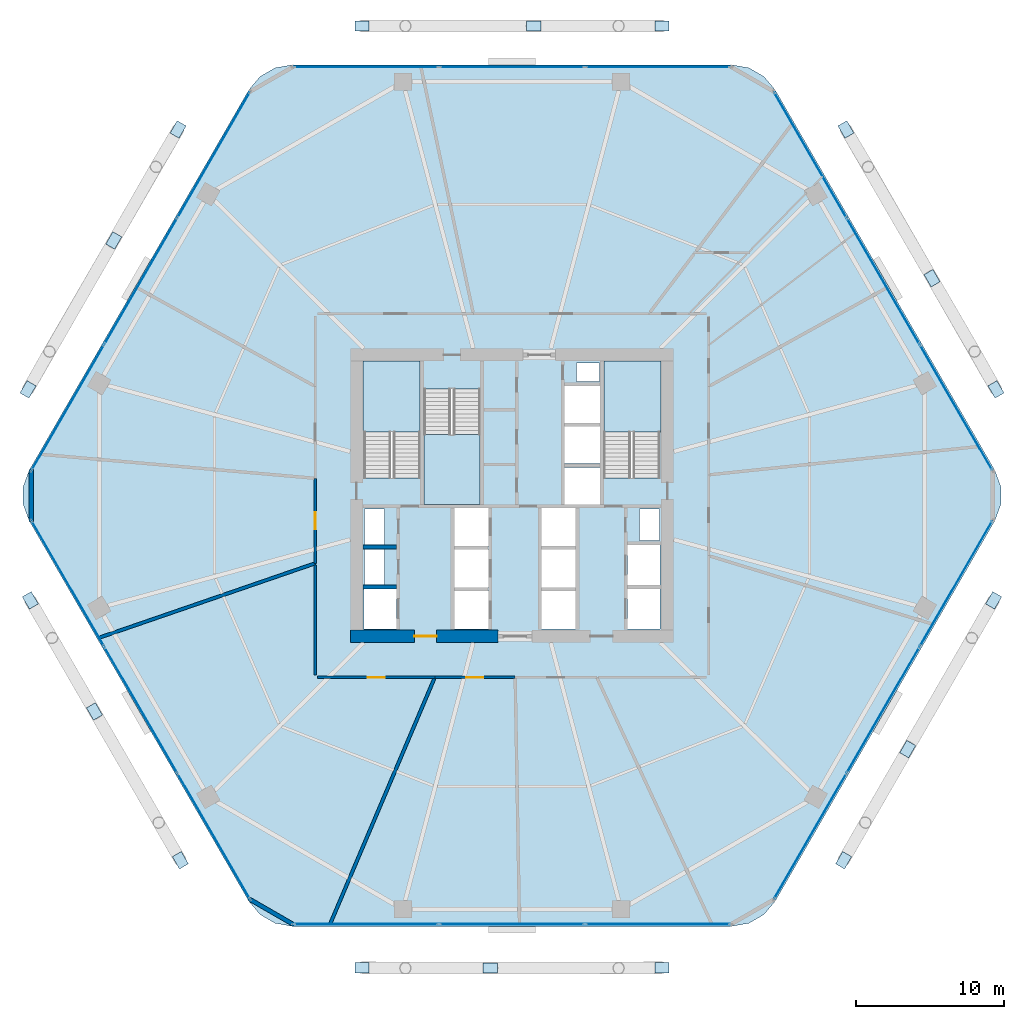
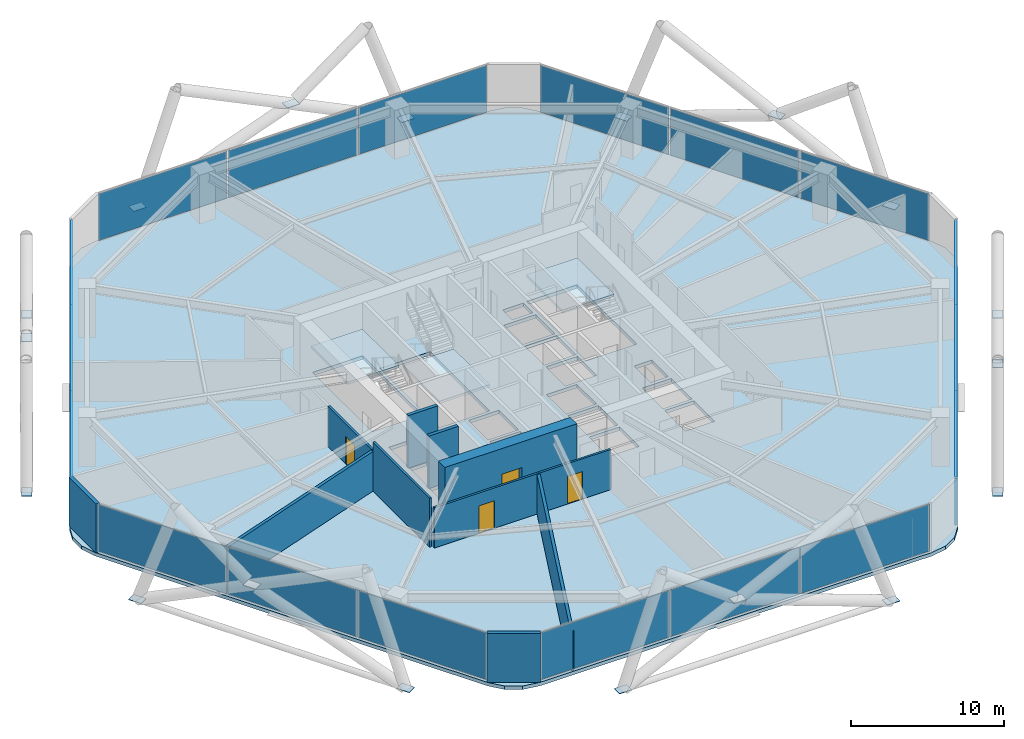
# One storey, part 24 of 30: 36 plates, 11 walls, 4 doors, 4 slabs, 4 openings, 9 elements without a shape of their own.
"""IFC4 building model written with IfcOpenShell, lengths in metres."""

from ifc_helpers import new_model, si_unit, direction, frame, frame_2d, origin, origin_2d, place, context, subcontext, project, spatial, polyline, rectangle, outline, extrude, material, layer, layer_set, type_object, element, fill, aggregate, save


model = new_model("IFC4")

# Units and contexts
model_context = context("Model", 3, precision=1e-05, world=origin(), true_north=direction((0.0, 1.0)))
body_context = subcontext(model_context, "Body", "Model", "MODEL_VIEW")
ifc_project = project(units=[si_unit("LENGTHUNIT", "METRE"), si_unit("AREAUNIT", "SQUARE_METRE"), si_unit("VOLUMEUNIT", "CUBIC_METRE"), si_unit("PLANEANGLEUNIT", "RADIAN"), si_unit("MASSUNIT", "GRAM", prefix="KILO")], contexts=[model_context])

# Site, building, storey
site_placement = place(None, origin())
site = spatial("IfcSite", under=ifc_project, at=site_placement, CompositionType="ELEMENT")
building_placement = place(site_placement, origin())
building = spatial("IfcBuilding", under=site, at=building_placement, Name="Zuhravey Tower", CompositionType="ELEMENT")
storey_placement = place(building_placement, frame((0.0, 0.0, 58.199951171875)))
storey = spatial("IfcBuildingStorey", under=building, at=storey_placement, Name="L14", CompositionType="ELEMENT", Elevation=58.199951171875)

# Curtain wall, plates
ifc_material_1 = material(Name="Thermally broken anodised aluminium", Category="aluminium")
curtain_wall_type = type_object("IfcCurtainWallType", Name="School Low-E Unitised Curtain Wall CW1", PredefinedType="NOTDEFINED", material=ifc_material_1)
curtain_wall_1_placement = place(storey_placement, origin())
curtain_wall_1 = element("IfcCurtainWall", 1, at=curtain_wall_1_placement, inside=storey, type_object=curtain_wall_type, Name="L14 CW1 CW-L14-F6-1", PredefinedType="NOTDEFINED")
ifc_material_2 = material(Name="Laminated acoustic low-E vision glass", Category="glass")
ifc_layer_1 = layer(ifc_material_2, 0.048095703125)
ifc_layer_set_1 = layer_set([ifc_layer_1], Name="Laminated acoustic low-E vision glass")
plate_type_1 = type_object("IfcPlateType", Name="Acoustic School Vision Panel", PredefinedType="CURTAIN_PANEL", material=ifc_layer_set_1)
plate_1_placement = place(storey_placement, frame((66.000732421875, 26.045654296875, 0.08984375), z_axis=(0.0, 0.0, 1.0), x_axis=(-0.499999794119, -0.86602552265, 0.0)))
plate_1 = element("IfcPlate", 2, at=plate_1_placement, type_object=plate_type_1, Name="CW1 panel 1.1", PredefinedType="CURTAIN_PANEL", context=body_context, shape_type="SweptSolid", body=[
    extrude(rectangle(XDim=9.7314453125, YDim=0.048095703125, at=origin_2d()), origin(), (0.0, 0.0, 1.0), 3.739990234375),
])
plate_2_placement = place(storey_placement, frame((61.078857421875, 17.520751953125, 0.08984375), z_axis=(0.0, 0.0, 1.0), x_axis=(-0.499999794119, -0.86602552265, 0.0)))
plate_2 = element("IfcPlate", 3, at=plate_2_placement, type_object=plate_type_1, Name="CW1 panel 2.1", PredefinedType="CURTAIN_PANEL", context=body_context, shape_type="SweptSolid", body=[
    extrude(rectangle(XDim=9.7763671875, YDim=0.048095703125, at=origin_2d()), origin(), (0.0, 0.0, 1.0), 3.739990234375),
])
plate_3_placement = place(storey_placement, frame((56.15673828125, 8.995849609375, 0.08984375), z_axis=(0.0, 0.0, 1.0), x_axis=(-0.499999794119, -0.86602552265, 0.0)))
plate_3 = element("IfcPlate", 4, at=plate_3_placement, type_object=plate_type_1, Name="CW1 panel 3.1", PredefinedType="CURTAIN_PANEL", context=body_context, shape_type="SweptSolid", body=[
    extrude(rectangle(XDim=9.7314453125, YDim=0.048095703125, at=origin_2d()), origin(), (0.0, 0.0, 1.0), 3.739990234375),
])
aggregate(curtain_wall_1, [plate_1, plate_2, plate_3])

curtain_wall_2_placement = place(storey_placement, origin())
curtain_wall_2 = element("IfcCurtainWall", 5, at=curtain_wall_2_placement, inside=storey, type_object=curtain_wall_type, Name="L14 CW1 CW-L14-F5-1", PredefinedType="NOTDEFINED")
plate_4_placement = place(storey_placement, frame((45.84375, 3.04150390625, 0.08984375), z_axis=(0.0, 0.0, 1.0), x_axis=(-1.0, 0.0, 0.0)))
plate_4 = element("IfcPlate", 6, at=plate_4_placement, type_object=plate_type_1, Name="CW1 panel 1.1", PredefinedType="CURTAIN_PANEL", context=body_context, shape_type="SweptSolid", body=[
    extrude(rectangle(XDim=9.7314453125, YDim=0.048095703125, at=origin_2d()), origin(), (0.0, 0.0, 1.0), 3.739990234375),
])
plate_5_placement = place(storey_placement, frame((36.0, 3.04150390625, 0.08984375), z_axis=(0.0, 0.0, 1.0), x_axis=(-1.0, 0.0, 0.0)))
plate_5 = element("IfcPlate", 7, at=plate_5_placement, type_object=plate_type_1, Name="CW1 panel 2.1", PredefinedType="CURTAIN_PANEL", context=body_context, shape_type="SweptSolid", body=[
    extrude(rectangle(XDim=9.7763671875, YDim=0.048095703125, at=origin_2d()), origin(), (0.0, 0.0, 1.0), 3.739990234375),
])
plate_6_placement = place(storey_placement, frame((26.15625, 3.04150390625, 0.08984375), z_axis=(0.0, 0.0, 1.0), x_axis=(-1.0, 0.0, 0.0)))
plate_6 = element("IfcPlate", 8, at=plate_6_placement, type_object=plate_type_1, Name="CW1 panel 3.1", PredefinedType="CURTAIN_PANEL", context=body_context, shape_type="SweptSolid", body=[
    extrude(rectangle(XDim=9.7314453125, YDim=0.048095703125, at=origin_2d()), origin(), (0.0, 0.0, 1.0), 3.739990234375),
])
aggregate(curtain_wall_2, [plate_4, plate_5, plate_6])

curtain_wall_3_placement = place(storey_placement, origin())
curtain_wall_3 = element("IfcCurtainWall", 9, at=curtain_wall_3_placement, inside=storey, type_object=curtain_wall_type, Name="L14 CW1 CW-L14-F4-1", PredefinedType="NOTDEFINED")
plate_7_placement = place(storey_placement, frame((15.84326171875, 8.995849609375, 0.08984375), z_axis=(0.0, 0.0, 1.0), x_axis=(-0.499999794119, 0.86602552265, 0.0)))
plate_7 = element("IfcPlate", 10, at=plate_7_placement, type_object=plate_type_1, Name="CW1 panel 1.1", PredefinedType="CURTAIN_PANEL", context=body_context, shape_type="SweptSolid", body=[
    extrude(rectangle(XDim=9.7314453125, YDim=0.048095703125, at=origin_2d()), origin(), (0.0, 0.0, 1.0), 3.739990234375),
])
plate_8_placement = place(storey_placement, frame((10.921142578125, 17.520751953125, 0.08984375), z_axis=(0.0, 0.0, 1.0), x_axis=(-0.499999794119, 0.86602552265, 0.0)))
plate_8 = element("IfcPlate", 11, at=plate_8_placement, type_object=plate_type_1, Name="CW1 panel 2.1", PredefinedType="CURTAIN_PANEL", context=body_context, shape_type="SweptSolid", body=[
    extrude(rectangle(XDim=9.7763671875, YDim=0.048095703125, at=origin_2d()), origin(), (0.0, 0.0, 1.0), 3.739990234375),
])
plate_9_placement = place(storey_placement, frame((5.999267578125, 26.045654296875, 0.08984375), z_axis=(0.0, 0.0, 1.0), x_axis=(-0.499999794119, 0.86602552265, 0.0)))
plate_9 = element("IfcPlate", 12, at=plate_9_placement, type_object=plate_type_1, Name="CW1 panel 3.1", PredefinedType="CURTAIN_PANEL", context=body_context, shape_type="SweptSolid", body=[
    extrude(rectangle(XDim=9.7314453125, YDim=0.048095703125, at=origin_2d()), origin(), (0.0, 0.0, 1.0), 3.739990234375),
])
aggregate(curtain_wall_3, [plate_7, plate_8, plate_9])

curtain_wall_4_placement = place(storey_placement, origin())
curtain_wall_4 = element("IfcCurtainWall", 13, at=curtain_wall_4_placement, inside=storey, type_object=curtain_wall_type, Name="L14 CW1 CW-L14-F3-1", PredefinedType="NOTDEFINED")
plate_10_placement = place(storey_placement, frame((5.999267578125, 37.954345703125, 0.08984375), z_axis=(0.0, 0.0, 1.0), x_axis=(0.499999794119, 0.86602552265, 0.0)))
plate_10 = element("IfcPlate", 14, at=plate_10_placement, type_object=plate_type_1, Name="CW1 panel 1.1", PredefinedType="CURTAIN_PANEL", context=body_context, shape_type="SweptSolid", body=[
    extrude(rectangle(XDim=9.7314453125, YDim=0.048095703125, at=origin_2d()), origin(), (0.0, 0.0, 1.0), 3.739990234375),
])
plate_11_placement = place(storey_placement, frame((10.921142578125, 46.479248046875, 0.08984375), z_axis=(0.0, 0.0, 1.0), x_axis=(0.499999794119, 0.86602552265, 0.0)))
plate_11 = element("IfcPlate", 15, at=plate_11_placement, type_object=plate_type_1, Name="CW1 panel 2.1", PredefinedType="CURTAIN_PANEL", context=body_context, shape_type="SweptSolid", body=[
    extrude(rectangle(XDim=9.7763671875, YDim=0.048095703125, at=origin_2d()), origin(), (0.0, 0.0, 1.0), 3.739990234375),
])
plate_12_placement = place(storey_placement, frame((15.84326171875, 55.004150390625, 0.08984375), z_axis=(0.0, 0.0, 1.0), x_axis=(0.499999794119, 0.86602552265, 0.0)))
plate_12 = element("IfcPlate", 16, at=plate_12_placement, type_object=plate_type_1, Name="CW1 panel 3.1", PredefinedType="CURTAIN_PANEL", context=body_context, shape_type="SweptSolid", body=[
    extrude(rectangle(XDim=9.7314453125, YDim=0.048095703125, at=origin_2d()), origin(), (0.0, 0.0, 1.0), 3.739990234375),
])
aggregate(curtain_wall_4, [plate_10, plate_11, plate_12])

curtain_wall_5_placement = place(storey_placement, origin())
curtain_wall_5 = element("IfcCurtainWall", 17, at=curtain_wall_5_placement, inside=storey, type_object=curtain_wall_type, Name="L14 CW1 CW-L14-F2-1", PredefinedType="NOTDEFINED")
plate_13_placement = place(storey_placement, frame((26.15625, 60.95849609375, 0.08984375), z_axis=(0.0, 0.0, 1.0), x_axis=(1.0, 0.0, 0.0)))
plate_13 = element("IfcPlate", 18, at=plate_13_placement, type_object=plate_type_1, Name="CW1 panel 1.1", PredefinedType="CURTAIN_PANEL", context=body_context, shape_type="SweptSolid", body=[
    extrude(rectangle(XDim=9.7314453125, YDim=0.048095703125, at=origin_2d()), origin(), (0.0, 0.0, 1.0), 3.739990234375),
])
plate_14_placement = place(storey_placement, frame((36.0, 60.95849609375, 0.08984375), z_axis=(0.0, 0.0, 1.0), x_axis=(1.0, 0.0, 0.0)))
plate_14 = element("IfcPlate", 19, at=plate_14_placement, type_object=plate_type_1, Name="CW1 panel 2.1", PredefinedType="CURTAIN_PANEL", context=body_context, shape_type="SweptSolid", body=[
    extrude(rectangle(XDim=9.7763671875, YDim=0.048095703125, at=origin_2d()), origin(), (0.0, 0.0, 1.0), 3.739990234375),
])
plate_15_placement = place(storey_placement, frame((45.84375, 60.95849609375, 0.08984375), z_axis=(0.0, 0.0, 1.0), x_axis=(1.0, 0.0, 0.0)))
plate_15 = element("IfcPlate", 20, at=plate_15_placement, type_object=plate_type_1, Name="CW1 panel 3.1", PredefinedType="CURTAIN_PANEL", context=body_context, shape_type="SweptSolid", body=[
    extrude(rectangle(XDim=9.7314453125, YDim=0.048095703125, at=origin_2d()), origin(), (0.0, 0.0, 1.0), 3.739990234375),
])
aggregate(curtain_wall_5, [plate_13, plate_14, plate_15])

curtain_wall_6_placement = place(storey_placement, origin())
curtain_wall_6 = element("IfcCurtainWall", 21, at=curtain_wall_6_placement, inside=storey, type_object=curtain_wall_type, Name="L14 CW1 CW-L14-F1-1", PredefinedType="NOTDEFINED")
plate_16_placement = place(storey_placement, frame((56.15673828125, 55.004150390625, 0.08984375), z_axis=(0.0, 0.0, 1.0), x_axis=(0.499999794119, -0.86602552265, 0.0)))
plate_16 = element("IfcPlate", 22, at=plate_16_placement, type_object=plate_type_1, Name="CW1 panel 1.1", PredefinedType="CURTAIN_PANEL", context=body_context, shape_type="SweptSolid", body=[
    extrude(rectangle(XDim=9.7314453125, YDim=0.048095703125, at=origin_2d()), origin(), (0.0, 0.0, 1.0), 3.739990234375),
])
plate_17_placement = place(storey_placement, frame((61.078857421875, 46.479248046875, 0.08984375), z_axis=(0.0, 0.0, 1.0), x_axis=(0.499999794119, -0.86602552265, 0.0)))
plate_17 = element("IfcPlate", 23, at=plate_17_placement, type_object=plate_type_1, Name="CW1 panel 2.1", PredefinedType="CURTAIN_PANEL", context=body_context, shape_type="SweptSolid", body=[
    extrude(rectangle(XDim=9.7763671875, YDim=0.048095703125, at=origin_2d()), origin(), (0.0, 0.0, 1.0), 3.739990234375),
])
plate_18_placement = place(storey_placement, frame((66.000732421875, 37.954345703125, 0.08984375), z_axis=(0.0, 0.0, 1.0), x_axis=(0.499999794119, -0.86602552265, 0.0)))
plate_18 = element("IfcPlate", 24, at=plate_18_placement, type_object=plate_type_1, Name="CW1 panel 3.1", PredefinedType="CURTAIN_PANEL", context=body_context, shape_type="SweptSolid", body=[
    extrude(rectangle(XDim=9.7314453125, YDim=0.048095703125, at=origin_2d()), origin(), (0.0, 0.0, 1.0), 3.739990234375),
])
aggregate(curtain_wall_6, [plate_16, plate_17, plate_18])

# Plates
ifc_material_3 = material(Name="Steel SM460", Category="steel")
ifc_layer_2 = layer(ifc_material_3, 0.0400390625)
ifc_layer_set_2 = layer_set([ifc_layer_2], Name="Steel SM460")
plate_type_2 = type_object("IfcPlateType", Name="Exoskeleton Zone 1 Node Plate ND1", PredefinedType="SHEET", material=ifc_layer_set_2)
for number, where, z_axis, x_axis, name in (
    (25, (68.693359375, 39.17041015625, -0.513916015625), (0.0, 0.0, 1.0), (-0.5, 0.866025403784, 0.0), "L14 Exoskeleton Node Gusset L14-01"),
    (26, (58.556396484375, 56.72802734375, -0.513916015625), (0.0, 0.0, 1.0), (-0.5, 0.866025403784, 0.0), "L14 Exoskeleton Node Gusset L14-02"),
    (27, (46.13671875, 63.718505859375, -0.513916015625), (0.0, 0.0, 1.0), (-1.0, 0.0, 0.0), "L14 Exoskeleton Node Gusset L14-03"),
    (28, (25.86328125, 63.718505859375, -0.513916015625), (0.0, 0.0, 1.0), (-1.0, 0.0, 0.0), "L14 Exoskeleton Node Gusset L14-04"),
    (29, (13.443603515625, 56.72802734375, -0.513916015625), (0.0, 0.0, 1.0), (-0.5, -0.866025403784, 0.0), "L14 Exoskeleton Node Gusset L14-05"),
    (30, (3.306640625, 39.17041015625, -0.513916015625), (0.0, 0.0, 1.0), (-0.5, -0.866025403784, 0.0), "L14 Exoskeleton Node Gusset L14-06"),
    (31, (3.462646484375, 24.91943359375, -0.513916015625), (0.0, 0.0, 1.0), (0.5, -0.866025403784, 0.0), "L14 Exoskeleton Node Gusset L14-07"),
    (32, (13.599365234375, 7.362060546875, -0.513916015625), (0.0, 0.0, 1.0), (0.5, -0.866025403784, 0.0), "L14 Exoskeleton Node Gusset L14-08"),
    (33, (25.86328125, 0.1015625, -0.513916015625), (0.0, 0.0, 1.0), (1.0, 0.0, 0.0), "L14 Exoskeleton Node Gusset L14-09"),
    (34, (46.13671875, 0.1015625, -0.513916015625), (0.0, 0.0, 1.0), (1.0, 0.0, 0.0), "L14 Exoskeleton Node Gusset L14-10"),
    (35, (58.400634765625, 7.362060546875, -0.513916015625), (0.0, 0.0, 1.0), (0.5, 0.866025403784, 0.0), "L14 Exoskeleton Node Gusset L14-11"),
    (36, (68.537353515625, 24.91943359375, -0.513916015625), (0.0, 0.0, 1.0), (0.5, 0.866025403784, 0.0), "L14 Exoskeleton Node Gusset L14-12"),
    (37, (64.37353515625, 46.682373046875, 3.68603515625), (0.0, 0.0, 1.0), (-0.5, 0.866025403784, 0.0), "L14 Face 1 Diagrid X-Crossing Plate"),
    (38, (37.471435546875, 63.718505859375, 3.68603515625), (0.0, 0.0, 1.0), (-1.0, 0.0, 0.0), "L14 Face 2 Diagrid X-Crossing Plate"),
    (39, (9.097900390625, 49.231201171875, 3.68603515625), (0.0, 0.0, 1.0), (-0.5, -0.866025403784, 0.0), "L14 Face 3 Diagrid X-Crossing Plate"),
    (40, (7.79541015625, 17.4150390625, 3.68603515625), (0.0, 0.0, 1.0), (0.5, -0.866025403784, 0.0), "L14 Face 4 Diagrid X-Crossing Plate"),
    (41, (34.528564453125, 0.08642578125, 3.68603515625), (0.0, 0.0, 1.0), (1.0, 0.0, 0.0), "L14 Face 5 Diagrid X-Crossing Plate"),
    (42, (62.733154296875, 14.866455078125, 3.68603515625), (0.0, 0.0, 1.0), (0.5, 0.866025403784, 0.0), "L14 Face 6 Diagrid X-Crossing Plate"),
):
    element("IfcPlate", number, at=place(storey_placement, frame(where, z_axis=z_axis, x_axis=x_axis)), inside=storey, type_object=plate_type_2, Name=name, PredefinedType="SHEET", context=body_context, shape_type="SweptSolid", body=[
        extrude(rectangle(XDim=0.9599609375, YDim=0.699951171875, at=origin_2d()), origin(), (0.0, 0.0, 1.0), 0.0400390625),
    ])

# Slab
ifc_material_4 = material(Name="Concrete C50/60", Category="concrete")
ifc_layer_3 = layer(ifc_material_4, 0.280029296875)
ifc_layer_set_3 = layer_set([ifc_layer_3], Name="Concrete C50/60")
slab_type_1 = type_object("IfcSlabType", Name="School Composite Floor Slab 280", PredefinedType="FLOOR", material=ifc_layer_set_3)
slab_1_placement = place(storey_placement, frame((0.0, 0.0, -0.280029296875)))
element("IfcSlab", 43, at=slab_1_placement, inside=storey, type_object=slab_type_1, Name="L14 Floor Slab FS28", PredefinedType="FLOOR", context=body_context, shape_type="SweptSolid", body=[
    extrude(outline(polyline([(68.618408203125, 30.300048828125), (69.0224609375, 31.40966796875), (69.0224609375, 32.59033203125), (68.618408203125, 33.699951171875), (53.781494140625, 59.3984375), (53.0224609375, 60.302978515625), (52.0, 60.893310546875), (50.8369140625, 61.098388671875), (21.1630859375, 61.098388671875), (20.0, 60.893310546875), (18.9775390625, 60.302978515625), (18.218505859375, 59.3984375), (3.381591796875, 33.699951171875), (2.9775390625, 32.59033203125), (2.9775390625, 31.40966796875), (3.381591796875, 30.300048828125), (18.218505859375, 4.6015625), (18.9775390625, 3.697021484375), (20.0, 3.106689453125), (21.1630859375, 2.901611328125), (50.8369140625, 2.901611328125), (52.0, 3.106689453125), (53.0224609375, 3.697021484375), (53.781494140625, 4.6015625), (68.618408203125, 30.300048828125)]), holes=[polyline([(29.800048828125, 33.20068359375), (29.800048828125, 41.0), (26.0, 41.0), (26.0, 33.20068359375), (29.800048828125, 33.20068359375)]), polyline([(46.0, 33.20068359375), (46.0, 41.0), (42.199951171875, 41.0), (42.199951171875, 33.20068359375), (46.0, 33.20068359375)]), polyline([(30.050048828125, 39.199462890625), (30.050048828125, 31.39990234375), (33.85009765625, 31.39990234375), (33.85009765625, 39.199462890625), (30.050048828125, 39.199462890625)]), polyline([(32.10009765625, 23.0), (34.39990234375, 23.0), (34.39990234375, 25.550048828125), (32.10009765625, 25.550048828125), (32.10009765625, 23.0)]), polyline([(32.10009765625, 25.800048828125), (34.39990234375, 25.800048828125), (34.39990234375, 28.35009765625), (32.10009765625, 28.35009765625), (32.10009765625, 25.800048828125)]), polyline([(32.10009765625, 28.60009765625), (34.39990234375, 28.60009765625), (34.39990234375, 31.14990234375), (32.10009765625, 31.14990234375), (32.10009765625, 28.60009765625)]), polyline([(38.0, 23.0), (40.300048828125, 23.0), (40.300048828125, 25.550048828125), (38.0, 25.550048828125), (38.0, 23.0)]), polyline([(38.0, 25.800048828125), (40.300048828125, 25.800048828125), (40.300048828125, 28.35009765625), (38.0, 28.35009765625), (38.0, 25.800048828125)]), polyline([(38.0, 28.60009765625), (40.300048828125, 28.60009765625), (40.300048828125, 31.14990234375), (38.0, 31.14990234375), (38.0, 28.60009765625)]), polyline([(39.550048828125, 31.39990234375), (41.949951171875, 31.39990234375), (41.949951171875, 33.89990234375), (39.550048828125, 33.89990234375), (39.550048828125, 31.39990234375)]), polyline([(39.550048828125, 34.14990234375), (41.949951171875, 34.14990234375), (41.949951171875, 36.64990234375), (39.550048828125, 36.64990234375), (39.550048828125, 34.14990234375)]), polyline([(39.550048828125, 36.89990234375), (41.949951171875, 36.89990234375), (41.949951171875, 39.39990234375), (39.550048828125, 39.39990234375), (39.550048828125, 36.89990234375)]), polyline([(26.0, 23.0), (28.199951171875, 23.0), (28.199951171875, 25.699951171875), (26.0, 25.699951171875), (26.0, 23.0)]), polyline([(43.800048828125, 23.0), (46.0, 23.0), (46.0, 25.699951171875), (43.800048828125, 25.699951171875), (43.800048828125, 23.0)]), polyline([(43.800048828125, 25.949951171875), (46.0, 25.949951171875), (46.0, 28.64990234375), (43.800048828125, 28.64990234375), (43.800048828125, 25.949951171875)]), polyline([(26.050048828125, 26.0), (27.39990234375, 26.0), (27.39990234375, 28.35009765625), (26.050048828125, 28.35009765625), (26.050048828125, 26.0)]), polyline([(26.050048828125, 28.699951171875), (27.39990234375, 28.699951171875), (27.39990234375, 31.10009765625), (26.050048828125, 31.10009765625), (26.050048828125, 28.699951171875)]), polyline([(44.60009765625, 28.949951171875), (45.949951171875, 28.949951171875), (45.949951171875, 31.10009765625), (44.60009765625, 31.10009765625), (44.60009765625, 28.949951171875)]), polyline([(40.35009765625, 39.699951171875), (41.89990234375, 39.699951171875), (41.89990234375, 40.949951171875), (40.35009765625, 40.949951171875), (40.35009765625, 39.699951171875)])]), origin(), (0.0, 0.0, 1.0), 0.280029296875),
])

# Stair, slab
ifc_material_5 = material(Name="Concrete C40/50", Category="concrete")
stair_type = type_object("IfcStairType", Name="School Storey Stair Assembly 4200", PredefinedType="HALF_TURN_STAIR", material=ifc_material_5)
stair_1_placement = place(storey_placement, origin())
stair_1 = element("IfcStair", 44, at=stair_1_placement, inside=storey, type_object=stair_type, Name="L14 Core Exit Stair ST1", PredefinedType="HALF_TURN_STAIR")
ifc_layer_4 = layer(ifc_material_5, 0.199951171875)
ifc_layer_set_4 = layer_set([ifc_layer_4], Name="Concrete C40/50")
slab_type_2 = type_object("IfcSlabType", Name="Stair Landing Slab 200", PredefinedType="LANDING", material=ifc_layer_set_4)
slab_2_placement = place(storey_placement, frame((0.0, 0.0, 1.900146484375)))
slab_2 = element("IfcSlab", 45, at=slab_2_placement, type_object=slab_type_2, Name="ST1 landing 1", PredefinedType="LANDING", context=body_context, shape_type="SweptSolid", body=[
    extrude(outline(polyline([(29.800048828125, 36.280029296875), (29.800048828125, 41.072998046875), (25.927001953125, 41.072998046875), (25.927001953125, 36.280029296875), (29.800048828125, 36.280029296875)])), origin(), (0.0, 0.0, 1.0), 0.199951171875),
])
aggregate(stair_1, [slab_2])

stair_2_placement = place(storey_placement, origin())
stair_2 = element("IfcStair", 46, at=stair_2_placement, inside=storey, type_object=stair_type, Name="L14 Core Exit Stair ST2", PredefinedType="HALF_TURN_STAIR")
slab_3_placement = place(storey_placement, frame((0.0, 0.0, 1.900146484375)))
slab_3 = element("IfcSlab", 47, at=slab_3_placement, type_object=slab_type_2, Name="ST2 landing 1", PredefinedType="LANDING", context=body_context, shape_type="SweptSolid", body=[
    extrude(outline(polyline([(46.072998046875, 36.280029296875), (46.072998046875, 41.072998046875), (42.199951171875, 41.072998046875), (42.199951171875, 36.280029296875), (46.072998046875, 36.280029296875)])), origin(), (0.0, 0.0, 1.0), 0.199951171875),
])
aggregate(stair_2, [slab_3])

stair_3_placement = place(storey_placement, origin())
stair_3 = element("IfcStair", 48, at=stair_3_placement, inside=storey, type_object=stair_type, Name="L14 Core Exit Stair ST3", PredefinedType="HALF_TURN_STAIR")
slab_4_placement = place(storey_placement, frame((0.0, 0.0, 1.900146484375)))
slab_4 = element("IfcSlab", 49, at=slab_4_placement, type_object=slab_type_2, Name="ST3 landing 1", PredefinedType="LANDING", context=body_context, shape_type="SweptSolid", body=[
    extrude(outline(polyline([(30.050048828125, 36.1201171875), (30.050048828125, 31.39990234375), (33.85009765625, 31.39990234375), (33.85009765625, 36.1201171875), (30.050048828125, 36.1201171875)])), origin(), (0.0, 0.0, 1.0), 0.199951171875),
])
aggregate(stair_3, [slab_4])

# Wall, opening, door
ifc_material_6 = material(Name="Concrete C60/75", Category="concrete")
ifc_layer_5 = layer(ifc_material_6, 0.85009765625)
ifc_layer_set_5 = layer_set([ifc_layer_5], Name="Concrete C60/75")
wall_type_1 = type_object("IfcWallType", Name="Core Shear Wall 850", PredefinedType="SHEAR", material=ifc_layer_set_5)
wall_1_placement = place(storey_placement, frame((25.074951171875, 22.5, 0.0), z_axis=(0.0, 0.0, 1.0), x_axis=(1.0, 0.0, 0.0)))
wall_1 = element("IfcWall", 50, at=wall_1_placement, inside=storey, type_object=wall_type_1, Name="L14 South-West Core Shear Wall CW85", PredefinedType="SHEAR", context=body_context, shape_type="SweptSolid", body=[
    extrude(rectangle(XDim=9.97509765625, YDim=0.85009765625, at=frame_2d((4.987548828125, 0.0))), origin(), (0.0, 0.0, 1.0), 4.199951171875),
])
opening_1_placement = place(wall_1_placement, frame((4.324951171875, 0.0, 0.0)))
opening_1 = element("IfcOpeningElement", 51, at=opening_1_placement, cuts=wall_1, Name="Opening FFD1", PredefinedType="OPENING", context=body_context, shape_type="SweptSolid", body=[
    extrude(rectangle(XDim=1.5, YDim=2.14990234375, at=frame_2d((0.75, 1.074951171875))), frame((0.0, 0.43701171875, 0.0), z_axis=(0.0, -1.0, 0.0), x_axis=(1.0, 0.0, 0.0)), (0.0, 0.0, 1.0), 0.8740234375),
])
ifc_material_7 = material(Name="Galvanised fire-rated steel leaf", Category="steel")
door_type_1 = type_object("IfcDoorType", Name="Firefighting Lobby Double Door 1500x2150", OperationType="DOUBLE_DOOR_SINGLE_SWING", PredefinedType="DOOR", material=ifc_material_7)
door_1_placement = place(opening_1_placement, origin())
door_1 = element("IfcDoor", 52, at=door_1_placement, inside=storey, type_object=door_type_1, Name="L14 Firefighting Lobby West Door", OperationType="DOUBLE_DOOR_SINGLE_SWING", OverallHeight=2.14990234375, OverallWidth=1.5, PredefinedType="DOOR", context=body_context, shape_type="SweptSolid", body=[
    extrude(rectangle(XDim=1.5, YDim=2.14990234375, at=frame_2d((0.75, 1.074951171875))), frame((0.0, 0.02490234375, 0.0), z_axis=(0.0, -1.0, 0.0), x_axis=(1.0, 0.0, 0.0)), (0.0, 0.0, 1.0), 0.050048828125),
])
fill(opening_1, door_1)

ifc_material_8 = material(Name="Gypsum fire-rated stud partition")
ifc_layer_6 = layer(ifc_material_8, 0.159912109375)
ifc_layer_set_6 = layer_set([ifc_layer_6], Name="Gypsum fire-rated stud partition")
wall_type_2 = type_object("IfcWallType", Name="Corridor Fire Partition 160", PredefinedType="PARTITIONING", material=ifc_layer_set_6)
wall_2_placement = place(storey_placement, frame((22.715087890625, 33.162353515625, 0.0), z_axis=(0.0, 0.0, 1.0), x_axis=(0.0, -1.0, 0.0)))
wall_2 = element("IfcWall", 53, at=wall_2_placement, inside=storey, type_object=wall_type_2, Name="L14 IW16 Partition 026", PredefinedType="PARTITIONING", context=body_context, shape_type="SweptSolid", body=[
    extrude(rectangle(XDim=5.73681640625, YDim=0.159912109375, at=frame_2d((2.868408203125, 0.0))), origin(), (0.0, 0.0, 1.0), 3.219970703125),
])
opening_2_placement = place(wall_2_placement, frame((2.29345703125, 0.0, 0.0)))
opening_2 = element("IfcOpeningElement", 54, at=opening_2_placement, cuts=wall_2, Name="Opening CLD1", PredefinedType="OPENING", context=body_context, shape_type="SweptSolid", body=[
    extrude(rectangle(XDim=1.14990234375, YDim=2.199951171875, at=frame_2d((0.574951171875, 1.10009765625))), frame((0.0, 0.092041015625, 0.0), z_axis=(0.0, -1.0, 0.0), x_axis=(1.0, 0.0, 0.0)), (0.0, 0.0, 1.0), 0.183837890625),
])
ifc_material_9 = material(Name="Acoustic timber leaf with vision lite", Category="wood")
door_type_2 = type_object("IfcDoorType", Name="Classroom Acoustic Door 1150x2200", OperationType="NOTDEFINED", PredefinedType="DOOR", material=ifc_material_9)
door_2_placement = place(opening_2_placement, frame((1.14990234375, 0.0, 0.0), z_axis=(0.0, 0.0, 1.0), x_axis=(-1.0, 0.0, 0.0)))
door_2 = element("IfcDoor", 55, at=door_2_placement, inside=storey, type_object=door_type_2, Name="L14 Door 026.1", OperationType="SINGLE_SWING_RIGHT", OverallHeight=2.199951171875, OverallWidth=1.14990234375, PredefinedType="DOOR", context=body_context, shape_type="SweptSolid", body=[
    extrude(rectangle(XDim=1.14990234375, YDim=2.199951171875, at=frame_2d((0.574951171875, 1.10009765625))), frame((0.0, 0.02490234375, 0.0), z_axis=(0.0, -1.0, 0.0), x_axis=(1.0, 0.0, 0.0)), (0.0, 0.0, 1.0), 0.050048828125),
])
fill(opening_2, door_2)

wall_3_placement = place(storey_placement, frame((22.875, 19.715087890625, 0.0), z_axis=(0.0, 0.0, 1.0), x_axis=(1.0, 0.0, 0.0)))
wall_3 = element("IfcWall", 56, at=wall_3_placement, inside=storey, type_object=wall_type_2, Name="L14 IW16 Partition 027", PredefinedType="PARTITIONING", context=body_context, shape_type="SweptSolid", body=[
    extrude(rectangle(XDim=7.910400390625, YDim=0.159912109375, at=frame_2d((3.955078125, 0.0))), origin(), (0.0, 0.0, 1.0), 3.219970703125),
])
opening_3_placement = place(wall_3_placement, frame((3.380126953125, 0.0, 0.0)))
opening_3 = element("IfcOpeningElement", 57, at=opening_3_placement, cuts=wall_3, Name="Opening CLD1", PredefinedType="OPENING", context=body_context, shape_type="SweptSolid", body=[
    extrude(rectangle(XDim=1.14990234375, YDim=2.199951171875, at=frame_2d((0.574951171875, 1.10009765625))), frame((0.0, 0.092041015625, 0.0), z_axis=(0.0, -1.0, 0.0), x_axis=(1.0, 0.0, 0.0)), (0.0, 0.0, 1.0), 0.183837890625),
])
door_3_placement = place(opening_3_placement, frame((1.14990234375, 0.0, 0.0), z_axis=(0.0, 0.0, 1.0), x_axis=(-1.0, 0.0, 0.0)))
door_3 = element("IfcDoor", 58, at=door_3_placement, inside=storey, type_object=door_type_2, Name="L14 Door 027.1", OperationType="SINGLE_SWING_LEFT", OverallHeight=2.199951171875, OverallWidth=1.14990234375, PredefinedType="DOOR", context=body_context, shape_type="SweptSolid", body=[
    extrude(rectangle(XDim=1.14990234375, YDim=2.199951171875, at=frame_2d((0.574951171875, 1.10009765625))), frame((0.0, 0.02490234375, 0.0), z_axis=(0.0, -1.0, 0.0), x_axis=(1.0, 0.0, 0.0)), (0.0, 0.0, 1.0), 0.050048828125),
])
fill(opening_3, door_3)

wall_4_placement = place(storey_placement, frame((30.785400390625, 19.715087890625, 0.0), z_axis=(0.0, 0.0, 1.0), x_axis=(1.0, 0.0, 0.0)))
wall_4 = element("IfcWall", 59, at=wall_4_placement, inside=storey, type_object=wall_type_2, Name="L14 IW16 Partition 028", PredefinedType="PARTITIONING", context=body_context, shape_type="SweptSolid", body=[
    extrude(rectangle(XDim=5.428955078125, YDim=0.159912109375, at=frame_2d((2.71435546875, 0.0))), origin(), (0.0, 0.0, 1.0), 3.219970703125),
])
opening_4_placement = place(wall_4_placement, frame((2.139404296875, 0.0, 0.0)))
opening_4 = element("IfcOpeningElement", 60, at=opening_4_placement, cuts=wall_4, Name="Opening CLD1", PredefinedType="OPENING", context=body_context, shape_type="SweptSolid", body=[
    extrude(rectangle(XDim=1.14990234375, YDim=2.199951171875, at=frame_2d((0.574951171875, 1.10009765625))), frame((0.0, 0.092041015625, 0.0), z_axis=(0.0, -1.0, 0.0), x_axis=(1.0, 0.0, 0.0)), (0.0, 0.0, 1.0), 0.183837890625),
])
door_4_placement = place(opening_4_placement, frame((1.14990234375, 0.0, 0.0), z_axis=(0.0, 0.0, 1.0), x_axis=(-1.0, 0.0, 0.0)))
door_4 = element("IfcDoor", 61, at=door_4_placement, inside=storey, type_object=door_type_2, Name="L14 Door 028.1", OperationType="SINGLE_SWING_RIGHT", OverallHeight=2.199951171875, OverallWidth=1.14990234375, PredefinedType="DOOR", context=body_context, shape_type="SweptSolid", body=[
    extrude(rectangle(XDim=1.14990234375, YDim=2.199951171875, at=frame_2d((0.574951171875, 1.10009765625))), frame((0.0, 0.02490234375, 0.0), z_axis=(0.0, -1.0, 0.0), x_axis=(1.0, 0.0, 0.0)), (0.0, 0.0, 1.0), 0.050048828125),
])
fill(opening_4, door_4)

# Walls
wall_5_placement = place(storey_placement, frame((22.715087890625, 27.30078125, 0.0), z_axis=(0.0, 0.0, 1.0), x_axis=(0.0, -1.0, 0.0)))
element("IfcWall", 62, at=wall_5_placement, inside=storey, type_object=wall_type_2, Name="L14 IW16 Partition 055", PredefinedType="PARTITIONING", context=body_context, shape_type="SweptSolid", body=[
    extrude(rectangle(XDim=7.42578125, YDim=0.159912109375, at=frame_2d((3.712890625, 0.0))), origin(), (0.0, 0.0, 1.0), 3.920166015625),
])
ifc_material_10 = material(Name="Precast concrete C40/50", Category="concrete")
ifc_layer_7 = layer(ifc_material_10, 0.280029296875)
ifc_layer_set_7 = layer_set([ifc_layer_7], Name="Precast concrete C40/50")
wall_type_3 = type_object("IfcWallType", Name="Crown Architectural Wall 280", PredefinedType="SOLIDWALL", material=ifc_layer_set_7)
wall_6_placement = place(storey_placement, frame((21.28271484375, 2.993896484375, 0.0), z_axis=(0.0, 0.0, 1.0), x_axis=(-0.866007452331, 0.500031091541, 0.0)))
element("IfcWall", 63, at=wall_6_placement, inside=storey, type_object=wall_type_3, Name="L14 Rounded Corner Closure Wall EW28-04", PredefinedType="SOLIDWALL", context=body_context, shape_type="SweptSolid", body=[
    extrude(rectangle(XDim=3.514892578125, YDim=0.280029296875, at=frame_2d((1.75732421875, 0.0))), origin(), (0.0, 0.0, 1.0), 3.920166015625),
])
wall_7_placement = place(storey_placement, frame((3.521484375, 30.242431640625, 0.0), z_axis=(0.0, 0.0, 1.0), x_axis=(0.0, 1.0, 0.0)))
element("IfcWall", 64, at=wall_7_placement, inside=storey, type_object=wall_type_3, Name="L14 Rounded Corner Closure Wall EW28-06", PredefinedType="SOLIDWALL", context=body_context, shape_type="SweptSolid", body=[
    extrude(rectangle(XDim=3.51513671875, YDim=0.280029296875, at=frame_2d((1.757568359375, 0.0))), origin(), (0.0, 0.0, 1.0), 3.920166015625),
])
ifc_layer_8 = layer(ifc_material_4, 0.25)
ifc_layer_set_8 = layer_set([ifc_layer_8], Name="Concrete C50/60")
wall_type_4 = type_object("IfcWallType", Name="Firefighting Shaft & Stair Wall 250", PredefinedType="SOLIDWALL", material=ifc_layer_set_8)
for number, where, z_axis, x_axis, name in (
    (65, (25.949951171875, 25.824951171875, 0.0), (0.0, 0.0, 1.0), (1.0, 0.0, 0.0), "L14 FW25 Shaft Wall 009"),
    (66, (25.949951171875, 28.52490234375, 0.0), (0.0, 0.0, 1.0), (1.0, 0.0, 0.0), "L14 FW25 Shaft Wall 010"),
):
    element("IfcWall", number, at=place(storey_placement, frame(where, z_axis=z_axis, x_axis=x_axis)), inside=storey, type_object=wall_type_4, Name=name, PredefinedType="SOLIDWALL", context=body_context, shape_type="SweptSolid", body=[
        extrude(rectangle(XDim=2.25, YDim=0.25, at=frame_2d((1.125, 0.0))), origin(), (0.0, 0.0, 1.0), 4.199951171875),
    ])
ifc_material_11 = material(Name="Gypsum acoustic stud assembly")
ifc_layer_9 = layer(ifc_material_11, 0.219970703125)
ifc_layer_set_9 = layer_set([ifc_layer_9], Name="Gypsum acoustic stud assembly")
wall_type_5 = type_object("IfcWallType", Name="School Acoustic Compartment Wall 220", PredefinedType="PARTITIONING", material=ifc_layer_set_9)
wall_8_placement = place(storey_placement, frame((22.715087890625, 27.425537109375, 0.0), z_axis=(0.0, 0.0, 1.0), x_axis=(-0.945519485553, -0.325565511746, 0.0)))
element("IfcWall", 67, at=wall_8_placement, inside=storey, type_object=wall_type_5, Name="L14 IW22 Partition 054", PredefinedType="PARTITIONING", context=body_context, shape_type="SweptSolid", body=[
    extrude(rectangle(XDim=15.4501953125, YDim=0.219970703125, at=frame_2d((7.72509765625, 0.0))), origin(), (0.0, 0.0, 1.0), 3.170166015625),
])
wall_9_placement = place(storey_placement, frame((30.748046875, 19.626953125, 0.0), z_axis=(0.0, 0.0, 1.0), x_axis=(-0.39073948494, -0.920501306305, 0.0)))
element("IfcWall", 68, at=wall_9_placement, inside=storey, type_object=wall_type_5, Name="L14 IW22 Partition 056", PredefinedType="PARTITIONING", context=body_context, shape_type="SweptSolid", body=[
    extrude(rectangle(XDim=18.017822265625, YDim=0.219970703125, at=frame_2d((9.0087890625, 0.0))), origin(), (0.0, 0.0, 1.0), 3.170166015625),
])

save(model, "model.ifc")
